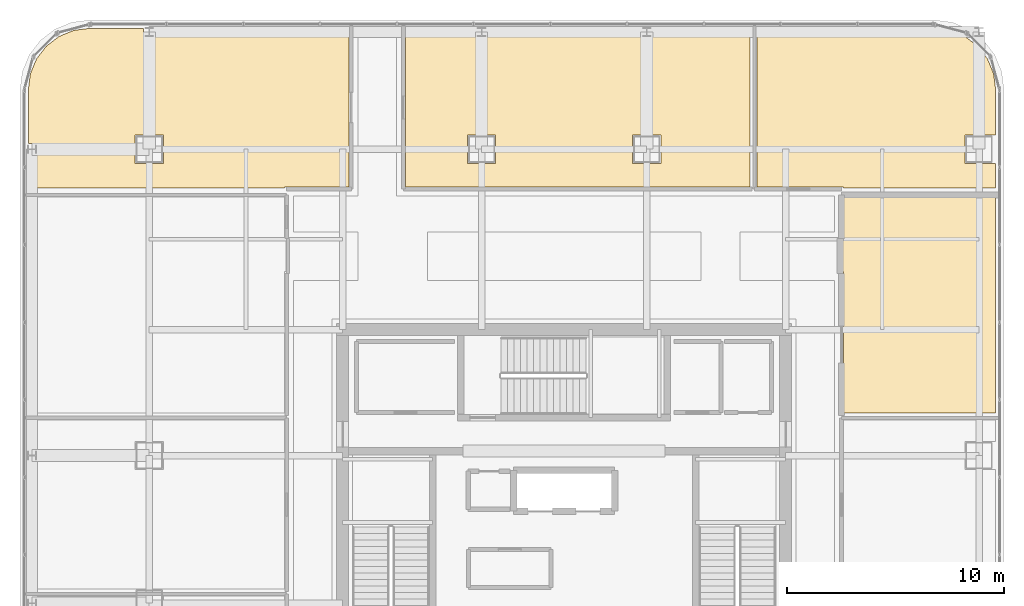
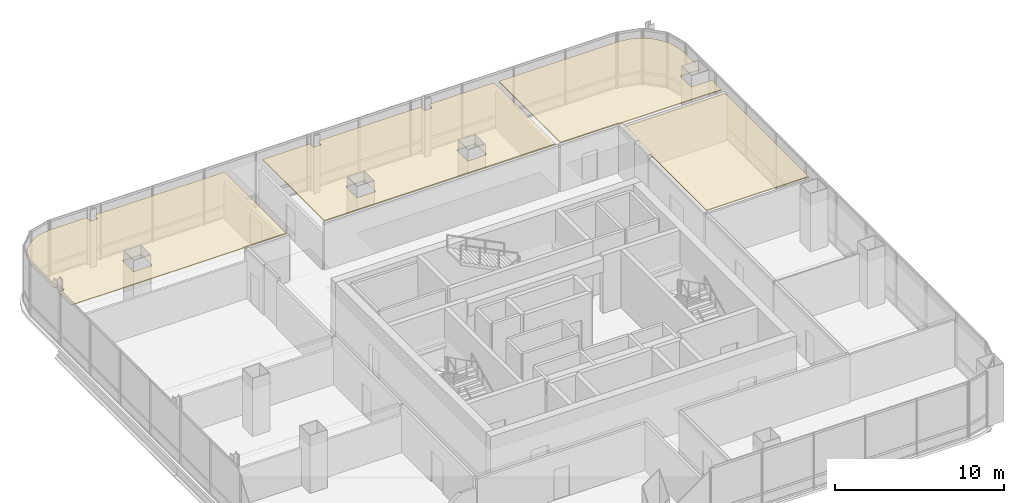
# One storey, part 41 of 41: 4 coverings.
"""IFC4 building model written with IfcOpenShell, lengths in metres."""

from ifc_helpers import new_model, si_unit, direction, frame, origin, place, context, subcontext, project, spatial, polyline, outline, extrude, material, layer, layer_set, type_object, element, save


model = new_model("IFC4")

# Units and contexts
model_context = context("Model", 3, precision=1e-05, world=origin(), true_north=direction((0.0, 1.0)))
body_context = subcontext(model_context, "Body", "Model", "MODEL_VIEW")
ifc_project = project(units=[si_unit("LENGTHUNIT", "METRE"), si_unit("AREAUNIT", "SQUARE_METRE"), si_unit("VOLUMEUNIT", "CUBIC_METRE"), si_unit("PLANEANGLEUNIT", "RADIAN"), si_unit("MASSUNIT", "GRAM", prefix="KILO")], contexts=[model_context])

# Site, building, storey
site_placement = place(None, origin())
site = spatial("IfcSite", under=ifc_project, at=site_placement, CompositionType="ELEMENT")
building_placement = place(site_placement, origin())
building = spatial("IfcBuilding", under=site, at=building_placement, Name="Punatoya Terracotta Tower", CompositionType="ELEMENT")
storey_placement = place(building_placement, frame((0.0, 0.0, 292.199951171875)))
storey = spatial("IfcBuildingStorey", under=building, at=storey_placement, Name="L69", CompositionType="ELEMENT", Elevation=292.199951171875)

# Coverings
ifc_material = material(Name="Acoustic Mineral Fibre Ceiling")
ifc_layer = layer(ifc_material, 0.06005859375)
ifc_layer_set = layer_set([ifc_layer], Name="Acoustic Mineral Fibre Ceiling")
covering_type = type_object("IfcCoveringType", Name="COV-CEIL-60", PredefinedType="CEILING", material=ifc_layer_set)
covering_1_placement = place(storey_placement, frame((0.0, 0.0, 3.39013671875)))
element("IfcCovering", 1, at=covering_1_placement, inside=storey, type_object=covering_type, Name="L69 Fitness Movement Lounge Acoustic Ceiling", PredefinedType="CEILING", context=body_context, shape_type="SweptSolid", body=[
    extrude(outline(polyline([(12.81005859375, 11.8701171875), (12.8701171875, 11.8701171875), (12.8701171875, 5.35009765625), (19.8701171875, 5.35009765625), (19.8701171875, 15.2900390625), (12.8701171875, 15.2900390625), (12.8701171875, 13.280029296875), (12.81005859375, 13.280029296875), (12.81005859375, 11.8701171875)])), origin(), (0.0, 0.0, 1.0), 0.059814453125),
])
covering_2_placement = place(storey_placement, frame((0.0, 0.0, 3.39013671875)))
element("IfcCovering", 2, at=covering_2_placement, inside=storey, type_object=covering_type, Name="L69 Open-Plan Seminar Discussion Room Acoustic Ceiling", PredefinedType="CEILING", context=body_context, shape_type="SweptSolid", body=[
    extrude(outline(polyline([(-19.35302734375, 22.64208984375), (-19.35302734375, 23.070068359375), (-21.8251953125, 23.070068359375), (-22.5791015625, 22.970703125), (-23.25830078125, 22.689453125), (-23.841796875, 22.24169921875), (-24.289306640625, 21.658203125), (-24.57080078125, 20.97900390625), (-24.669921875, 20.22509765625), (-24.669921875, 17.758056640625), (-24.2470703125, 17.758056640625), (-24.2470703125, 17.241943359375), (-24.669921875, 17.241943359375), (-24.669921875, 15.7099609375), (-12.8701171875, 15.7099609375), (-12.8701171875, 15.77001953125), (-9.89990234375, 15.77001953125), (-9.89990234375, 23.070068359375), (-18.846923828125, 23.070068359375), (-18.846923828125, 22.64208984375), (-19.35302734375, 22.64208984375)]), holes=[polyline([(-19.75, 18.14990234375), (-18.449951171875, 18.14990234375), (-18.449951171875, 16.85009765625), (-19.75, 16.85009765625), (-19.75, 18.14990234375)])]), origin(), (0.0, 0.0, 1.0), 0.059814453125),
])
covering_3_placement = place(storey_placement, frame((0.0, 0.0, 3.39013671875)))
element("IfcCovering", 3, at=covering_3_placement, inside=storey, type_object=covering_type, Name="L69 Open-Plan Coaching Briefing Room Acoustic Ceiling", PredefinedType="CEILING", context=body_context, shape_type="SweptSolid", body=[
    extrude(outline(polyline([(12.8701171875, 15.7099609375), (19.8701171875, 15.7099609375), (19.8701171875, 16.85009765625), (18.449951171875, 16.85009765625), (18.449951171875, 18.14990234375), (19.8701171875, 18.14990234375), (19.8701171875, 20.22509765625), (19.770751953125, 20.97900390625), (19.489501953125, 21.658203125), (19.041748046875, 22.24169921875), (18.458251953125, 22.689453125), (17.779052734375, 22.970703125), (17.025146484375, 23.070068359375), (8.8720703125, 23.070068359375), (8.8720703125, 15.77001953125), (12.8701171875, 15.77001953125), (12.8701171875, 15.7099609375)])), origin(), (0.0, 0.0, 1.0), 0.059814453125),
])
covering_4_placement = place(storey_placement, frame((0.0, 0.0, 3.39013671875)))
element("IfcCovering", 4, at=covering_4_placement, inside=storey, type_object=covering_type, Name="L69 Open-Plan Staff Wellness Studio Acoustic Ceiling", PredefinedType="CEILING", context=body_context, shape_type="SweptSolid", body=[
    extrude(outline(polyline([(4.052978515625, 22.64208984375), (3.547119140625, 22.64208984375), (3.547119140625, 23.070068359375), (-3.547119140625, 23.070068359375), (-3.547119140625, 22.64208984375), (-4.052978515625, 22.64208984375), (-4.052978515625, 23.070068359375), (-7.300048828125, 23.070068359375), (-7.300048828125, 15.77001953125), (8.552001953125, 15.77001953125), (8.552001953125, 23.070068359375), (4.052978515625, 23.070068359375), (4.052978515625, 22.64208984375)]), holes=[polyline([(4.449951171875, 16.85009765625), (3.14990234375, 16.85009765625), (3.14990234375, 18.14990234375), (4.449951171875, 18.14990234375), (4.449951171875, 16.85009765625)]), polyline([(-4.449951171875, 16.85009765625), (-4.449951171875, 18.14990234375), (-3.14990234375, 18.14990234375), (-3.14990234375, 16.85009765625), (-4.449951171875, 16.85009765625)])]), origin(), (0.0, 0.0, 1.0), 0.059814453125),
])

save(model, "model.ifc")
